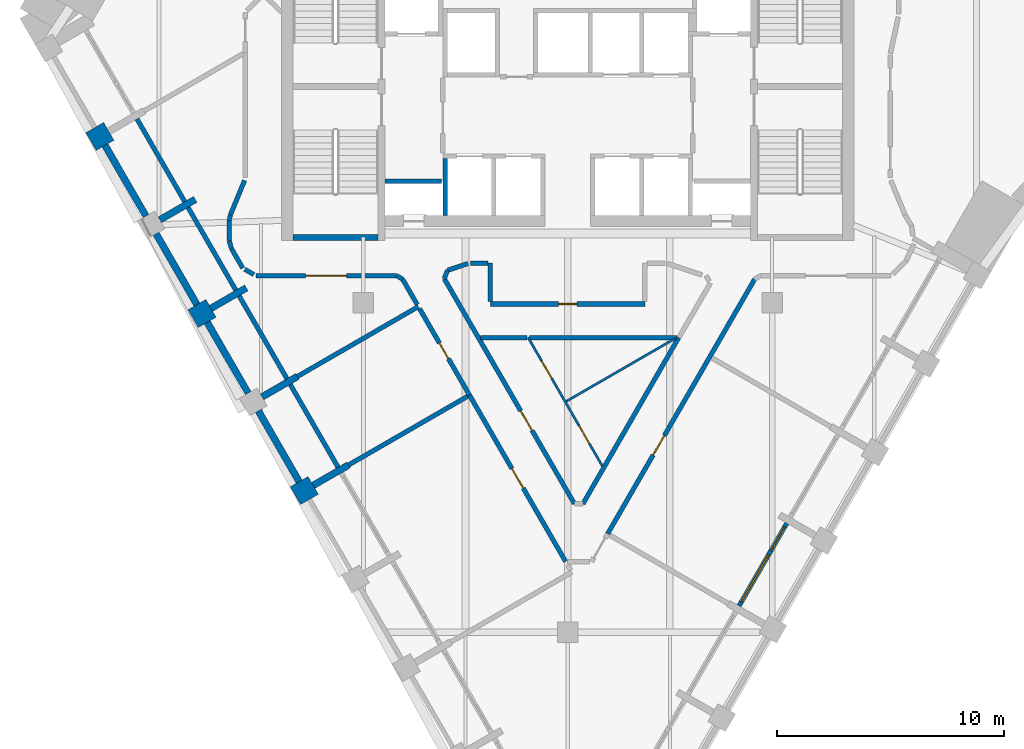
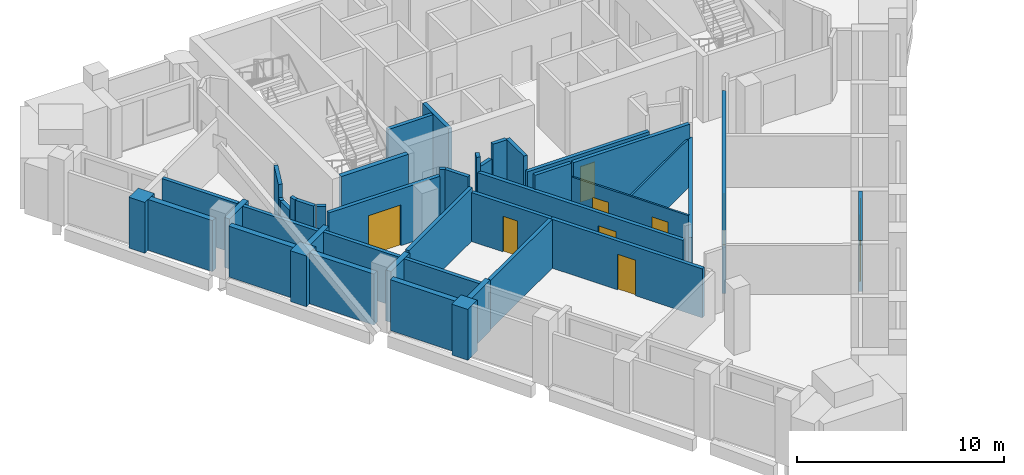
# One storey, part 3 of 8: 44 walls, 9 doors, 1 window, 10 openings.
"""IFC4 building model written with IfcOpenShell, lengths in metres."""

from ifc_helpers import new_model, si_unit, direction, frame, frame_2d, origin, place, context, subcontext, project, spatial, rectangle, extrude, material, layer, layer_set, type_object, element, fill, save


model = new_model("IFC4")

# Units and contexts
model_context = context("Model", 3, precision=1e-05, world=origin(), true_north=direction((0.0, 1.0)))
body_context = subcontext(model_context, "Body", "Model", "MODEL_VIEW")
ifc_project = project(units=[si_unit("LENGTHUNIT", "METRE"), si_unit("AREAUNIT", "SQUARE_METRE"), si_unit("VOLUMEUNIT", "CUBIC_METRE"), si_unit("PLANEANGLEUNIT", "RADIAN"), si_unit("MASSUNIT", "GRAM", prefix="KILO")], contexts=[model_context])

# Site, building, storey
site_placement = place(None, origin())
site = spatial("IfcSite", under=ifc_project, at=site_placement, CompositionType="ELEMENT")
building_placement = place(site_placement, origin())
building = spatial("IfcBuilding", under=site, at=building_placement, Name="Calabash Gate Tower", CompositionType="ELEMENT")
storey_placement = place(building_placement, frame((0.0, 0.0, 271.60009765625)))
storey = spatial("IfcBuildingStorey", under=building, at=storey_placement, Name="L65", CompositionType="ELEMENT", Elevation=271.60009765625)

# Walls
ifc_material_1 = material(Name="Terracotta brick masonry, exposed face", Category="masonry")
ifc_layer_1 = layer(ifc_material_1, 0.89990234375)
ifc_layer_set_1 = layer_set([ifc_layer_1], Name="Brick end wall 900")
wall_type_1 = type_object("IfcWallType", Name="Brick end wall 900", PredefinedType="SOLIDWALL", material=ifc_layer_set_1)
for number, where, z_axis, x_axis, name in (
    (1, (-20.98583984375, 9.602783203125, 0.0), (0.0, 0.0, 1.0), (0.866013897511, 0.50001992892, 0.0), "Brick pier S19 SW0.1"),
    (2, (-16.48583984375, 1.80859375, 0.0), (0.0, 0.0, 1.0), (0.866013897511, 0.50001992892, 0.0), "Brick pier S19 SW0.3"),
):
    element("IfcWall", number, at=place(storey_placement, frame(where, z_axis=z_axis, x_axis=x_axis)), inside=storey, type_object=wall_type_1, Name=name, PredefinedType="SOLIDWALL", context=body_context, shape_type="SweptSolid", body=[
        extrude(rectangle(XDim=0.89990234375, YDim=0.89990234375, at=frame_2d((0.449951171875, 0.0))), origin(), (0.0, 0.0, 1.0), 3.0),
    ])
wall_1_placement = place(storey_placement, frame((-11.8212890625, -5.370849609375, 0.0), z_axis=(0.0, 0.0, 1.0), x_axis=(0.499902469156, -0.866081705922, 0.0)))
element("IfcWall", 3, at=wall_1_placement, inside=storey, type_object=wall_type_1, Name="Brick pier S19 SW0.5", PredefinedType="SOLIDWALL", context=body_context, shape_type="SweptSolid", body=[
    extrude(rectangle(XDim=0.900146484375, YDim=0.89990234375, at=frame_2d((0.4501953125, 0.0))), origin(), (0.0, 0.0, 1.0), 3.0),
])
ifc_material_2 = material(Name="Terracotta brick masonry, exposed face", Category="masonry")
ifc_layer_2 = layer(ifc_material_2, 0.300048828125)
ifc_layer_set_2 = layer_set([ifc_layer_2], Name="Brick infill panel wall 300")
wall_type_2 = type_object("IfcWallType", Name="Brick infill panel wall 300", PredefinedType="SOLIDWALL", material=ifc_layer_set_2)
for number, where, z_axis, x_axis, name in (
    (4, (-20.371337890625, 9.43798828125, 0.0), (0.0, 0.0, 1.0), (0.500012057535, -0.866018442252, 0.0), "Brick panel S19 SW0.2"),
    (5, (-18.121337890625, 5.541015625, 0.0), (0.0, 0.0, 1.0), (0.500012057535, -0.866018442252, 0.0), "Brick panel S19 SW0.3"),
    (6, (-15.871337890625, 1.643798828125, 0.0), (0.0, 0.0, 1.0), (0.500012057535, -0.866018442252, 0.0), "Brick panel S19 SW0.4"),
):
    element("IfcWall", number, at=place(storey_placement, frame(where, z_axis=z_axis, x_axis=x_axis)), inside=storey, type_object=wall_type_2, Name=name, PredefinedType="SOLIDWALL", context=body_context, shape_type="SweptSolid", body=[
        extrude(rectangle(XDim=3.60009765625, YDim=0.300048828125, at=frame_2d((1.800048828125, 0.0))), origin(), (0.0, 0.0, 1.0), 3.0),
    ])
wall_2_placement = place(storey_placement, frame((-11.8212890625, -5.370849609375, 0.0), z_axis=(0.0, 0.0, 1.0), x_axis=(-0.50001992892, 0.866013897511, 0.0)))
element("IfcWall", 7, at=wall_2_placement, inside=storey, type_object=wall_type_2, Name="Brick panel S19 SW0.5", PredefinedType="SOLIDWALL", context=body_context, shape_type="SweptSolid", body=[
    extrude(rectangle(XDim=3.599365234375, YDim=0.300048828125, at=frame_2d((1.7998046875, 0.0))), origin(), (0.0, 0.0, 1.0), 3.0),
])
ifc_material_3 = material(Name="Terracotta brick masonry, exposed face", Category="masonry")
ifc_layer_3 = layer(ifc_material_3, 0.300048828125)
ifc_layer_set_3 = layer_set([ifc_layer_3], Name="Brick loggia cheek wall 300")
wall_type_3 = type_object("IfcWallType", Name="Brick loggia cheek wall 300", PredefinedType="SOLIDWALL", material=ifc_layer_set_3)
wall_3_placement = place(storey_placement, frame((-17.956298828125, 6.156005859375, 0.0), z_axis=(0.0, 0.0, 1.0), x_axis=(0.866072636901, 0.499918180918, 0.0)))
element("IfcWall", 8, at=wall_3_placement, inside=storey, type_object=wall_type_3, Name="Loggia cheek S19 SW0.2", PredefinedType="SOLIDWALL", context=body_context, shape_type="SweptSolid", body=[
    extrude(rectangle(XDim=1.799560546875, YDim=0.300048828125, at=frame_2d((0.89990234375, 0.0))), origin(), (0.0, 0.0, 1.0), 2.949951171875),
])
for number, where, z_axis, x_axis, name in (
    (9, (-15.70654296875, 2.258544921875, 0.0), (0.0, 0.0, 1.0), (0.865989075817, 0.500062916607, 0.0), "Loggia cheek S19 SW0.3"),
    (10, (-13.45654296875, -1.638427734375, 0.0), (0.0, 0.0, 1.0), (0.866047807691, 0.499961193289, 0.0), "Loggia cheek S19 SW0.4"),
    (11, (-11.20654296875, -5.53564453125, 0.0), (0.0, 0.0, 1.0), (0.866047807691, 0.499961193289, 0.0), "Loggia cheek S19 SW0.5"),
):
    element("IfcWall", number, at=place(storey_placement, frame(where, z_axis=z_axis, x_axis=x_axis)), inside=storey, type_object=wall_type_3, Name=name, PredefinedType="SOLIDWALL", context=body_context, shape_type="SweptSolid", body=[
        extrude(rectangle(XDim=1.800048828125, YDim=0.300048828125, at=frame_2d((0.89990234375, 0.0))), origin(), (0.0, 0.0, 1.0), 3.0),
    ])
ifc_material_4 = material(Name="Concrete C60/75", Category="concrete")
ifc_layer_4 = layer(ifc_material_4, 0.25)
ifc_layer_set_4 = layer_set([ifc_layer_4], Name="Core wall 250 Concrete C60/75")
wall_type_4 = type_object("IfcWallType", Name="Core wall 250 Concrete C60/75", PredefinedType="SHEAR", material=ifc_layer_set_4)
wall_4_placement = place(storey_placement, frame((-12.10009765625, 5.377685546875, 0.0), z_axis=(0.0, 0.0, 1.0), x_axis=(1.0, 0.0, 0.0)))
element("IfcWall", 12, at=wall_4_placement, inside=storey, type_object=wall_type_4, Name="Core wall Z5-SSW L65", PredefinedType="SHEAR", context=body_context, shape_type="SweptSolid", body=[
    extrude(rectangle(XDim=3.75, YDim=0.25, at=frame_2d((1.875, 0.0))), origin(), (0.0, 0.0, 1.0), 3.89990234375),
])
ifc_material_5 = material(Name="Gypsum board on steel studs, mineral wool", Category="steel")
ifc_layer_5 = layer(ifc_material_5, 0.10009765625)
ifc_layer_set_5 = layer_set([ifc_layer_5], Name="Partition 100 gypsum board")
wall_type_5 = type_object("IfcWallType", Name="Partition 100 gypsum board", PredefinedType="PARTITIONING", material=ifc_layer_set_5)
wall_5_placement = place(storey_placement, frame((-0.0625, -1.833984375, 0.0), z_axis=(0.0, 0.0, 1.0), x_axis=(0.865950314505, 0.5001300359, 0.0)))
element("IfcWall", 13, at=wall_5_placement, inside=storey, type_object=wall_type_5, Name="Partition", PredefinedType="PARTITIONING", context=body_context, shape_type="SweptSolid", body=[
    extrude(rectangle(XDim=5.51318359375, YDim=0.10009765625, at=frame_2d((2.756591796875, 0.0))), origin(), (0.0, 0.0, 1.0), 2.884033203125),
])

# Wall, openings, doors
wall_6_placement = place(storey_placement, frame((-1.740966796875, 0.9736328125, 0.0), z_axis=(0.0, 0.0, 1.0), x_axis=(0.499978916304, -0.86603757612, 0.0)))
wall_6 = element("IfcWall", 14, at=wall_6_placement, inside=storey, type_object=wall_type_5, Name="Partition", PredefinedType="PARTITIONING", context=body_context, shape_type="SweptSolid", body=[
    extrude(rectangle(XDim=6.537353515625, YDim=0.10009765625, at=frame_2d((3.2685546875, 0.0))), origin(), (0.0, 0.0, 1.0), 2.884033203125),
])
opening_1_placement = place(wall_6_placement, frame((1.183837890625, 0.0, 0.0)))
opening_1 = element("IfcOpeningElement", 15, at=opening_1_placement, cuts=wall_6, Name="Opening 65-66-012", PredefinedType="OPENING", context=body_context, shape_type="SweptSolid", body=[
    extrude(rectangle(XDim=0.89990234375, YDim=2.10009765625, at=frame_2d((0.449951171875, 1.050048828125))), frame((0.0, 0.06005859375, 0.0), z_axis=(0.0, -1.0, 0.0), x_axis=(1.0, 0.0, 0.0)), (0.0, 0.0, 1.0), 0.1201171875),
])
opening_2_placement = place(wall_6_placement, frame((4.503662109375, 0.0, 0.0)))
opening_2 = element("IfcOpeningElement", 16, at=opening_2_placement, cuts=wall_6, Name="Opening 65-66-013", PredefinedType="OPENING", context=body_context, shape_type="SweptSolid", body=[
    extrude(rectangle(XDim=0.89990234375, YDim=2.10009765625, at=frame_2d((0.449951171875, 1.050048828125))), frame((0.0, 0.06005859375, 0.0), z_axis=(0.0, -1.0, 0.0), x_axis=(1.0, 0.0, 0.0)), (0.0, 0.0, 1.0), 0.1201171875),
])
ifc_material_6 = material(Name="Painted timber door", Category="wood")
door_type_1 = type_object("IfcDoorType", Name="WD1 WC door 900x2100", OperationType="NOTDEFINED", PredefinedType="DOOR", material=ifc_material_6)
door_1_placement = place(opening_1_placement, origin())
door_1 = element("IfcDoor", 17, at=door_1_placement, inside=storey, type_object=door_type_1, Name="WC door", OperationType="SINGLE_SWING_LEFT", OverallHeight=2.10009765625, OverallWidth=0.89990234375, PredefinedType="DOOR", context=body_context, shape_type="SweptSolid", body=[
    extrude(rectangle(XDim=0.89990234375, YDim=2.10009765625, at=frame_2d((0.449951171875, 1.050048828125))), frame((0.0, 0.02490234375, 0.0), z_axis=(0.0, -1.0, 0.0), x_axis=(1.0, 0.0, 0.0)), (0.0, 0.0, 1.0), 0.050048828125),
])
fill(opening_1, door_1)
door_2_placement = place(opening_2_placement, origin())
door_2 = element("IfcDoor", 18, at=door_2_placement, inside=storey, type_object=door_type_1, Name="WC door", OperationType="SINGLE_SWING_RIGHT", OverallHeight=2.10009765625, OverallWidth=0.89990234375, PredefinedType="DOOR", context=body_context, shape_type="SweptSolid", body=[
    extrude(rectangle(XDim=0.89990234375, YDim=2.10009765625, at=frame_2d((0.449951171875, 1.050048828125))), frame((0.0, 0.02490234375, 0.0), z_axis=(0.0, -1.0, 0.0), x_axis=(1.0, 0.0, 0.0)), (0.0, 0.0, 1.0), 0.050048828125),
])
fill(opening_2, door_2)

# Wall, opening, door
ifc_material_7 = material(Name="Gypsum board on steel studs, mineral wool", Category="steel")
ifc_layer_6 = layer(ifc_material_7, 0.199951171875)
ifc_layer_set_6 = layer_set([ifc_layer_6], Name="Partition 200 gypsum board EI 60")
wall_type_6 = type_object("IfcWallType", Name="Partition 200 gypsum board EI 60", PredefinedType="PARTITIONING", material=ifc_layer_set_6)
wall_7_placement = place(storey_placement, frame((-4.3232421875, -1.561767578125, 0.0), z_axis=(0.0, 0.0, 1.0), x_axis=(0.500177101832, -0.865923129846, 0.0)))
wall_7 = element("IfcWall", 19, at=wall_7_placement, inside=storey, type_object=wall_type_6, Name="Partition", PredefinedType="PARTITIONING", context=body_context, shape_type="SweptSolid", body=[
    extrude(rectangle(XDim=8.45947265625, YDim=0.199951171875, at=frame_2d((4.229736328125, 0.0))), origin(), (0.0, 0.0, 1.0), 2.884033203125),
])
opening_3_placement = place(wall_7_placement, frame((3.728759765625, 0.0, 0.0)))
opening_3 = element("IfcOpeningElement", 20, at=opening_3_placement, cuts=wall_7, Name="Opening 65-66-002", PredefinedType="OPENING", context=body_context, shape_type="SweptSolid", body=[
    extrude(rectangle(XDim=1.0, YDim=2.10009765625, at=frame_2d((0.5, 1.050048828125))), frame((0.0, 0.10986328125, 0.0), z_axis=(0.0, -1.0, 0.0), x_axis=(1.0, 0.0, 0.0)), (0.0, 0.0, 1.0), 0.219970703125),
])
ifc_material_8 = material(Name="Steel fire door set with fire-resisting glazing", Category="steel")
door_type_2 = type_object("IfcDoorType", Name="LD2 Meeting room door 1000x2100", OperationType="NOTDEFINED", PredefinedType="DOOR", material=ifc_material_8)
door_3_placement = place(opening_3_placement, origin())
door_3 = element("IfcDoor", 21, at=door_3_placement, inside=storey, type_object=door_type_2, Name="Meeting room door", OperationType="SINGLE_SWING_LEFT", OverallHeight=2.10009765625, OverallWidth=1.0, PredefinedType="DOOR", context=body_context, shape_type="SweptSolid", body=[
    extrude(rectangle(XDim=1.0, YDim=2.10009765625, at=frame_2d((0.5, 1.050048828125))), frame((0.0, 0.02490234375, 0.0), z_axis=(0.0, -1.0, 0.0), x_axis=(1.0, 0.0, 0.0)), (0.0, 0.0, 1.0), 0.050048828125),
])
fill(opening_3, door_3)

# Walls
wall_8_placement = place(storey_placement, frame((0.670166015625, -6.346435546875, 0.0), z_axis=(0.0, 0.0, 1.0), x_axis=(0.499143893265, 0.866519113359, 0.0)))
element("IfcWall", 22, at=wall_8_placement, inside=storey, type_object=wall_type_6, Name="Partition", PredefinedType="PARTITIONING", context=body_context, shape_type="SweptSolid", body=[
    extrude(rectangle(XDim=8.452392578125, YDim=0.199951171875, at=frame_2d((4.22607421875, 0.0))), origin(), (0.0, 0.0, 1.0), 2.884033203125),
])
wall_9_placement = place(storey_placement, frame((-9.647705078125, -4.6357421875, 0.0), z_axis=(0.0, 0.0, 1.0), x_axis=(0.866169461704, 0.499750401311, 0.0)))
element("IfcWall", 23, at=wall_9_placement, inside=storey, type_object=wall_type_6, Name="Partition", PredefinedType="PARTITIONING", context=body_context, shape_type="SweptSolid", body=[
    extrude(rectangle(XDim=6.0498046875, YDim=0.199951171875, at=frame_2d((3.02490234375, 0.0))), origin(), (0.0, 0.0, 1.0), 2.884033203125),
])

# Wall, opening, door
wall_10_placement = place(storey_placement, frame((-6.5234375, 2.248779296875, 0.0), z_axis=(0.0, 0.0, 1.0), x_axis=(0.50001224981, -0.866018331238, 0.0)))
wall_10 = element("IfcWall", 24, at=wall_10_placement, inside=storey, type_object=wall_type_6, Name="Partition", PredefinedType="PARTITIONING", context=body_context, shape_type="SweptSolid", body=[
    extrude(rectangle(XDim=4.39990234375, YDim=0.199951171875, at=frame_2d((2.199951171875, 0.0))), origin(), (0.0, 0.0, 1.0), 2.884033203125),
])
opening_4_placement = place(wall_10_placement, frame((1.75, 0.0, 0.0)))
opening_4 = element("IfcOpeningElement", 25, at=opening_4_placement, cuts=wall_10, Name="Opening 65-66-001", PredefinedType="OPENING", context=body_context, shape_type="SweptSolid", body=[
    extrude(rectangle(XDim=0.800048828125, YDim=2.10009765625, at=frame_2d((0.39990234375, 1.050048828125))), frame((0.0, 0.10986328125, 0.0), z_axis=(0.0, -1.0, 0.0), x_axis=(1.0, 0.0, 0.0)), (0.0, 0.0, 1.0), 0.219970703125),
])
ifc_material_9 = material(Name="Steel fire door set with fire-resisting glazing", Category="steel")
door_type_3 = type_object("IfcDoorType", Name="SD2 Riser access door 800x2100", OperationType="NOTDEFINED", PredefinedType="DOOR", material=ifc_material_9)
door_4_placement = place(opening_4_placement, origin())
door_4 = element("IfcDoor", 26, at=door_4_placement, inside=storey, type_object=door_type_3, Name="Riser access door", OperationType="SINGLE_SWING_RIGHT", OverallHeight=2.10009765625, OverallWidth=0.800048828125, PredefinedType="DOOR", context=body_context, shape_type="SweptSolid", body=[
    extrude(rectangle(XDim=0.800048828125, YDim=2.10009765625, at=frame_2d((0.39990234375, 1.050048828125))), frame((0.0, 0.02490234375, 0.0), z_axis=(0.0, -1.0, 0.0), x_axis=(1.0, 0.0, 0.0)), (0.0, 0.0, 1.0), 0.050048828125),
])
fill(opening_4, door_4)

# Walls
wall_11_placement = place(storey_placement, frame((-11.89794921875, -0.738037109375, 0.0), z_axis=(0.0, 0.0, 1.0), x_axis=(0.865915132248, 0.500190947283, 0.0)))
element("IfcWall", 27, at=wall_11_placement, inside=storey, type_object=wall_type_6, Name="Partition", PredefinedType="PARTITIONING", context=body_context, shape_type="SweptSolid", body=[
    extrude(rectangle(XDim=6.1494140625, YDim=0.199951171875, at=frame_2d((3.07470703125, 0.0))), origin(), (0.0, 0.0, 1.0), 3.1279296875),
])
wall_12_placement = place(storey_placement, frame((-3.833984375, 0.971923828125, 0.0), z_axis=(0.0, 0.0, 1.0), x_axis=(0.999999742389, 0.000717789024, 0.0)))
element("IfcWall", 28, at=wall_12_placement, inside=storey, type_object=wall_type_6, Name="Partition", PredefinedType="PARTITIONING", context=body_context, shape_type="SweptSolid", body=[
    extrude(rectangle(XDim=2.040771484375, YDim=0.199951171875, at=frame_2d((1.0205078125, 0.0))), origin(), (0.0, 0.0, 1.0), 3.72998046875),
])
wall_13_placement = place(storey_placement, frame((-1.69189453125, 0.9716796875, 0.0), z_axis=(0.0, 0.0, 1.0), x_axis=(0.999999954692, 0.000301023466, 0.0)))
element("IfcWall", 29, at=wall_13_placement, inside=storey, type_object=wall_type_6, Name="Partition", PredefinedType="PARTITIONING", context=body_context, shape_type="SweptSolid", body=[
    extrude(rectangle(XDim=6.48828125, YDim=0.199951171875, at=frame_2d((3.244140625, 0.0))), origin(), (0.0, 0.0, 1.0), 3.72998046875),
])
wall_14_placement = place(storey_placement, frame((-7.270751953125, 3.54638671875, 0.0), z_axis=(0.0, 0.0, 1.0), x_axis=(0.499075838414, -0.866558311663, 0.0)))
element("IfcWall", 30, at=wall_14_placement, inside=storey, type_object=wall_type_6, Name="Partition", PredefinedType="PARTITIONING", context=body_context, shape_type="SweptSolid", body=[
    extrude(rectangle(XDim=1.296875, YDim=0.199951171875, at=frame_2d((0.6484375, 0.0))), origin(), (0.0, 0.0, 1.0), 3.72998046875),
])

# Wall, opening, door
wall_15_placement = place(storey_placement, frame((-3.400146484375, 2.452392578125, 0.0), z_axis=(0.0, 0.0, 1.0), x_axis=(1.0, 0.0, 0.0)))
wall_15 = element("IfcWall", 31, at=wall_15_placement, inside=storey, type_object=wall_type_6, Name="Partition", PredefinedType="PARTITIONING", context=body_context, shape_type="SweptSolid", body=[
    extrude(rectangle(XDim=6.800048828125, YDim=0.199951171875, at=frame_2d((3.39990234375, 0.0))), origin(), (0.0, 0.0, 1.0), 2.884033203125),
])
opening_5_placement = place(wall_15_placement, frame((3.0, 0.0, 0.0)))
opening_5 = element("IfcOpeningElement", 32, at=opening_5_placement, cuts=wall_15, Name="Opening 65-66-004", PredefinedType="OPENING", context=body_context, shape_type="SweptSolid", body=[
    extrude(rectangle(XDim=0.800048828125, YDim=2.10009765625, at=frame_2d((0.39990234375, 1.050048828125))), frame((0.0, 0.10986328125, 0.0), z_axis=(0.0, -1.0, 0.0), x_axis=(1.0, 0.0, 0.0)), (0.0, 0.0, 1.0), 0.219970703125),
])
door_5_placement = place(opening_5_placement, origin())
door_5 = element("IfcDoor", 33, at=door_5_placement, inside=storey, type_object=door_type_3, Name="Riser access door", OperationType="SINGLE_SWING_LEFT", OverallHeight=2.10009765625, OverallWidth=0.800048828125, PredefinedType="DOOR", context=body_context, shape_type="SweptSolid", body=[
    extrude(rectangle(XDim=0.800048828125, YDim=2.10009765625, at=frame_2d((0.39990234375, 1.050048828125))), frame((0.0, 0.02490234375, 0.0), z_axis=(0.0, -1.0, 0.0), x_axis=(1.0, 0.0, 0.0)), (0.0, 0.0, 1.0), 0.050048828125),
])
fill(opening_5, door_5)

# Walls
wall_16_placement = place(storey_placement, frame((-3.402099609375, 4.25048828125, 0.0), z_axis=(0.0, 0.0, 1.0), x_axis=(0.001150250857, -0.999999338461, 0.0)))
element("IfcWall", 34, at=wall_16_placement, inside=storey, type_object=wall_type_6, Name="Partition", PredefinedType="PARTITIONING", context=body_context, shape_type="SweptSolid", body=[
    extrude(rectangle(XDim=1.697998046875, YDim=0.199951171875, at=frame_2d((0.84912109375, 0.0))), origin(), (0.0, 0.0, 1.0), 3.72998046875),
])
wall_17_placement = place(storey_placement, frame((-7.535888671875, 3.699462890625, 0.0), z_axis=(0.0, 0.0, 1.0), x_axis=(0.866026229868, -0.499998569178, 0.0)))
element("IfcWall", 35, at=wall_17_placement, inside=storey, type_object=wall_type_6, Name="Partition", PredefinedType="PARTITIONING", context=body_context, shape_type="SweptSolid", body=[
    extrude(rectangle(XDim=0.30615234375, YDim=0.199951171875, at=frame_2d((0.153076171875, 0.0))), origin(), (0.0, 0.0, 1.0), 3.72998046875),
])

# Wall, opening, door
wall_18_placement = place(storey_placement, frame((1.757080078125, -7.668212890625, 0.0), z_axis=(0.0, 0.0, 1.0), x_axis=(0.500002084865, 0.866024200084, 0.0)))
wall_18 = element("IfcWall", 36, at=wall_18_placement, inside=storey, type_object=wall_type_6, Name="Partition", PredefinedType="PARTITIONING", context=body_context, shape_type="SweptSolid", body=[
    extrude(rectangle(XDim=12.94873046875, YDim=0.199951171875, at=frame_2d((6.474365234375, 0.0))), origin(), (0.0, 0.0, 1.0), 2.884033203125),
])
opening_6_placement = place(wall_18_placement, frame((4.0, 0.0, 0.0)))
opening_6 = element("IfcOpeningElement", 37, at=opening_6_placement, cuts=wall_18, Name="Opening 65-66-003", PredefinedType="OPENING", context=body_context, shape_type="SweptSolid", body=[
    extrude(rectangle(XDim=1.0, YDim=2.39990234375, at=frame_2d((0.5, 1.199951171875))), frame((0.0, 0.10986328125, 0.0), z_axis=(0.0, -1.0, 0.0), x_axis=(1.0, 0.0, 0.0)), (0.0, 0.0, 1.0), 0.219970703125),
])
ifc_material_10 = material(Name="Painted timber door", Category="wood")
door_type_4 = type_object("IfcDoorType", Name="OD2 Glazed office door 1000x2400", OperationType="NOTDEFINED", PredefinedType="DOOR", material=ifc_material_10)
door_6_placement = place(opening_6_placement, origin())
door_6 = element("IfcDoor", 38, at=door_6_placement, inside=storey, type_object=door_type_4, Name="Glazed office door", OperationType="SINGLE_SWING_RIGHT", OverallHeight=2.39990234375, OverallWidth=1.0, PredefinedType="DOOR", context=body_context, shape_type="SweptSolid", body=[
    extrude(rectangle(XDim=1.0, YDim=2.39990234375, at=frame_2d((0.5, 1.199951171875))), frame((0.0, 0.02490234375, 0.0), z_axis=(0.0, -1.0, 0.0), x_axis=(1.0, 0.0, 0.0)), (0.0, 0.0, 1.0), 0.050048828125),
])
fill(opening_6, door_6)

wall_19_placement = place(storey_placement, frame((-5.433349609375, 3.565185546875, 0.0), z_axis=(0.0, 0.0, 1.0), x_axis=(0.500524932541, -0.865722121644, 0.0)))
wall_19 = element("IfcWall", 39, at=wall_19_placement, inside=storey, type_object=wall_type_6, Name="Partition", PredefinedType="PARTITIONING", context=body_context, shape_type="SweptSolid", body=[
    extrude(rectangle(XDim=11.445068359375, YDim=0.199951171875, at=frame_2d((5.72265625, 0.0))), origin(), (0.0, 0.0, 1.0), 2.884033203125),
])
opening_7_placement = place(wall_19_placement, frame((6.718994140625, 0.0, 0.0)))
opening_7 = element("IfcOpeningElement", 40, at=opening_7_placement, cuts=wall_19, Name="Opening 65-66-011", PredefinedType="OPENING", context=body_context, shape_type="SweptSolid", body=[
    extrude(rectangle(XDim=1.0, YDim=2.10009765625, at=frame_2d((0.5, 1.050048828125))), frame((0.0, 0.10986328125, 0.0), z_axis=(0.0, -1.0, 0.0), x_axis=(1.0, 0.0, 0.0)), (0.0, 0.0, 1.0), 0.219970703125),
])
ifc_material_11 = material(Name="Steel fire door set with fire-resisting glazing", Category="steel")
door_type_5 = type_object("IfcDoorType", Name="WD3 WC lobby door 1000x2100", OperationType="NOTDEFINED", PredefinedType="DOOR", material=ifc_material_11)
door_7_placement = place(opening_7_placement, origin())
door_7 = element("IfcDoor", 41, at=door_7_placement, inside=storey, type_object=door_type_5, Name="WC lobby door", OperationType="SINGLE_SWING_RIGHT", OverallHeight=2.10009765625, OverallWidth=1.0, PredefinedType="DOOR", context=body_context, shape_type="SweptSolid", body=[
    extrude(rectangle(XDim=1.0, YDim=2.10009765625, at=frame_2d((0.5, 1.050048828125))), frame((0.0, 0.02490234375, 0.0), z_axis=(0.0, -1.0, 0.0), x_axis=(1.0, 0.0, 0.0)), (0.0, 0.0, 1.0), 0.050048828125),
])
fill(opening_7, door_7)

wall_20_placement = place(storey_placement, frame((-13.73291015625, 3.699462890625, 0.0), z_axis=(0.0, 0.0, 1.0), x_axis=(1.0, 0.0, 0.0)))
wall_20 = element("IfcWall", 42, at=wall_20_placement, inside=storey, type_object=wall_type_6, Name="Partition", PredefinedType="PARTITIONING", context=body_context, shape_type="SweptSolid", body=[
    extrude(rectangle(XDim=6.197021484375, YDim=0.199951171875, at=frame_2d((3.0986328125, 0.0))), origin(), (0.0, 0.0, 1.0), 3.33154296875),
])
opening_8_placement = place(wall_20_placement, frame((2.198486328125, 0.0, 0.0)))
opening_8 = element("IfcOpeningElement", 43, at=opening_8_placement, cuts=wall_20, Name="Opening 65-66-005", PredefinedType="OPENING", context=body_context, shape_type="SweptSolid", body=[
    extrude(rectangle(XDim=1.800048828125, YDim=2.39990234375, at=frame_2d((0.89990234375, 1.199951171875))), frame((0.0, 0.10986328125, 0.0), z_axis=(0.0, -1.0, 0.0), x_axis=(1.0, 0.0, 0.0)), (0.0, 0.0, 1.0), 0.219970703125),
])
ifc_material_12 = material(Name="Steel fire door set with fire-resisting glazing", Category="steel")
door_type_6 = type_object("IfcDoorType", Name="OD5 Open office double door 1800x2400", OperationType="NOTDEFINED", PredefinedType="DOOR", material=ifc_material_12)
door_8_placement = place(opening_8_placement, origin())
door_8 = element("IfcDoor", 44, at=door_8_placement, inside=storey, type_object=door_type_6, Name="Open office double door", OperationType="DOUBLE_DOOR_SINGLE_SWING", OverallHeight=2.39990234375, OverallWidth=1.800048828125, PredefinedType="DOOR", context=body_context, shape_type="SweptSolid", body=[
    extrude(rectangle(XDim=1.800048828125, YDim=2.39990234375, at=frame_2d((0.89990234375, 1.199951171875))), frame((0.0, 0.02490234375, 0.0), z_axis=(0.0, -1.0, 0.0), x_axis=(1.0, 0.0, 0.0)), (0.0, 0.0, 1.0), 0.050048828125),
])
fill(opening_8, door_8)

# Walls
wall_21_placement = place(storey_placement, frame((-14.218017578125, 3.9794921875, 0.0), z_axis=(0.0, 0.0, 1.0), x_axis=(0.866212077504, -0.499676532155, 0.0)))
element("IfcWall", 45, at=wall_21_placement, inside=storey, type_object=wall_type_6, Name="Partition", PredefinedType="PARTITIONING", context=body_context, shape_type="SweptSolid", body=[
    extrude(rectangle(XDim=0.460205078125, YDim=0.199951171875, at=frame_2d((0.22998046875, 0.0))), origin(), (0.0, 0.0, 1.0), 3.72998046875),
])
wall_22_placement = place(storey_placement, frame((-5.433349609375, 3.565185546875, 0.0), z_axis=(0.0, 0.0, 1.0), x_axis=(0.354431242796, 0.93508207882, 0.0)))
element("IfcWall", 46, at=wall_22_placement, inside=storey, type_object=wall_type_6, Name="Partition", PredefinedType="PARTITIONING", context=body_context, shape_type="SweptSolid", body=[
    extrude(rectangle(XDim=0.39599609375, YDim=0.199951171875, at=frame_2d((0.197998046875, 0.0))), origin(), (0.0, 0.0, 1.0), 3.72998046875),
])
wall_23_placement = place(storey_placement, frame((-14.81201171875, 4.908203125, 0.0), z_axis=(0.0, 0.0, 1.0), x_axis=(0.500021003115, -0.866013277291, 0.0)))
element("IfcWall", 47, at=wall_23_placement, inside=storey, type_object=wall_type_6, Name="Partition", PredefinedType="PARTITIONING", context=body_context, shape_type="SweptSolid", body=[
    extrude(rectangle(XDim=1.0146484375, YDim=0.199951171875, at=frame_2d((0.50732421875, 0.0))), origin(), (0.0, 0.0, 1.0), 3.72998046875),
])
wall_24_placement = place(storey_placement, frame((-5.29296875, 3.935546875, 0.0), z_axis=(0.0, 0.0, 1.0), x_axis=(0.948709019126, 0.316150592328, 0.0)))
element("IfcWall", 48, at=wall_24_placement, inside=storey, type_object=wall_type_6, Name="Partition", PredefinedType="PARTITIONING", context=body_context, shape_type="SweptSolid", body=[
    extrude(rectangle(XDim=0.948974609375, YDim=0.199951171875, at=frame_2d((0.474609375, 0.0))), origin(), (0.0, 0.0, 1.0), 2.884033203125),
])
wall_25_placement = place(storey_placement, frame((-4.2890625, 4.25244140625, 0.0), z_axis=(0.0, 0.0, 1.0), x_axis=(0.999997642919, -0.002171210763, 0.0)))
element("IfcWall", 49, at=wall_25_placement, inside=storey, type_object=wall_type_6, Name="Partition", PredefinedType="PARTITIONING", context=body_context, shape_type="SweptSolid", body=[
    extrude(rectangle(XDim=0.787109375, YDim=0.199951171875, at=frame_2d((0.3935546875, 0.0))), origin(), (0.0, 0.0, 1.0), 3.72998046875),
])
wall_26_placement = place(storey_placement, frame((-14.900390625, 5.23828125, 0.0), z_axis=(0.0, 0.0, 1.0), x_axis=(0.258640848646, -0.965973556269, 0.0)))
element("IfcWall", 50, at=wall_26_placement, inside=storey, type_object=wall_type_6, Name="Partition", PredefinedType="PARTITIONING", context=body_context, shape_type="SweptSolid", body=[
    extrude(rectangle(XDim=0.341796875, YDim=0.199951171875, at=frame_2d((0.1708984375, 0.0))), origin(), (0.0, 0.0, 1.0), 3.72998046875),
])
wall_27_placement = place(storey_placement, frame((-14.900390625, 6.1220703125, 0.0), z_axis=(0.0, 0.0, 1.0), x_axis=(0.0, -1.0, 0.0)))
element("IfcWall", 51, at=wall_27_placement, inside=storey, type_object=wall_type_6, Name="Partition", PredefinedType="PARTITIONING", context=body_context, shape_type="SweptSolid", body=[
    extrude(rectangle(XDim=0.8837890625, YDim=0.199951171875, at=frame_2d((0.44189453125, 0.0))), origin(), (0.0, 0.0, 1.0), 2.949951171875),
])
wall_28_placement = place(storey_placement, frame((-14.900390625, 6.1220703125, 0.0), z_axis=(0.0, 0.0, 1.0), x_axis=(0.194284304518, 0.980945263008, 0.0)))
element("IfcWall", 52, at=wall_28_placement, inside=storey, type_object=wall_type_6, Name="Partition", PredefinedType="PARTITIONING", context=body_context, shape_type="SweptSolid", body=[
    extrude(rectangle(XDim=0.25634765625, YDim=0.199951171875, at=frame_2d((0.128173828125, 0.0))), origin(), (0.0, 0.0, 1.0), 2.949951171875),
])
wall_29_placement = place(storey_placement, frame((-14.8505859375, 6.37353515625, 0.0), z_axis=(0.0, 0.0, 1.0), x_axis=(0.380697489052, 0.924699638709, 0.0)))
element("IfcWall", 53, at=wall_29_placement, inside=storey, type_object=wall_type_6, Name="Partition", PredefinedType="PARTITIONING", context=body_context, shape_type="SweptSolid", body=[
    extrude(rectangle(XDim=1.64306640625, YDim=0.199951171875, at=frame_2d((0.821533203125, 0.0))), origin(), (0.0, 0.0, 1.0), 3.72998046875),
])
ifc_material_13 = material(Name="Concrete C40/50", Category="concrete")
ifc_layer_7 = layer(ifc_material_13, 0.199951171875)
ifc_layer_set_7 = layer_set([ifc_layer_7], Name="Shaft wall 200 Concrete C40/50")
wall_type_7 = type_object("IfcWallType", Name="Shaft wall 200 Concrete C40/50", PredefinedType="SOLIDWALL", material=ifc_layer_set_7)
for number, where, z_axis, x_axis, name in (
    (54, (-5.39990234375, 6.3525390625, 0.0), (0.0, 0.0, 1.0), (0.0, 1.0, 0.0), "Shaft wall"),
    (55, (-8.050048828125, 7.8525390625, 0.0), (0.0, 0.0, 1.0), (1.0, 0.0, 0.0), "Shaft wall"),
):
    element("IfcWall", number, at=place(storey_placement, frame(where, z_axis=z_axis, x_axis=x_axis)), inside=storey, type_object=wall_type_7, Name=name, PredefinedType="SOLIDWALL", context=body_context, shape_type="SweptSolid", body=[
        extrude(rectangle(XDim=2.5, YDim=0.199951171875, at=frame_2d((1.25, 0.0))), origin(), (0.0, 0.0, 1.0), 3.72998046875),
    ])
ifc_material_14 = material(Name="Aluminium framed window wall with insulated spandrel", Category="aluminium")
ifc_layer_8 = layer(ifc_material_14, 0.199951171875)
ifc_layer_set_8 = layer_set([ifc_layer_8], Name="Window wall 200")
wall_type_8 = type_object("IfcWallType", Name="Window wall 200", PredefinedType="ELEMENTEDWALL", material=ifc_layer_set_8)
wall_30_placement = place(storey_placement, frame((-18.96240234375, 10.597900390625, 0.0), z_axis=(0.0, 0.0, 1.0), x_axis=(0.500027713859, -0.866009402589, 0.0)))
element("IfcWall", 56, at=wall_30_placement, inside=storey, type_object=wall_type_8, Name="Window wall S19 SW0.2", PredefinedType="ELEMENTEDWALL", context=body_context, shape_type="SweptSolid", body=[
    extrude(rectangle(XDim=4.199951171875, YDim=0.199951171875, at=frame_2d((2.10009765625, 0.0))), origin(), (0.0, 0.0, 1.0), 3.0),
])
wall_31_placement = place(storey_placement, frame((-16.71240234375, 6.70068359375, 0.0), z_axis=(0.0, 0.0, 1.0), x_axis=(0.500027713859, -0.866009402589, 0.0)))
element("IfcWall", 57, at=wall_31_placement, inside=storey, type_object=wall_type_8, Name="Window wall S19 SW0.3", PredefinedType="ELEMENTEDWALL", context=body_context, shape_type="SweptSolid", body=[
    extrude(rectangle(XDim=4.199951171875, YDim=0.199951171875, at=frame_2d((2.10009765625, 0.0))), origin(), (0.0, 0.0, 1.0), 2.949951171875),
])
for number, where, z_axis, x_axis, name in (
    (58, (-14.46240234375, 2.8037109375, 0.0), (0.0, 0.0, 1.0), (0.500027713859, -0.866009402589, 0.0), "Window wall S19 SW0.4"),
    (59, (-12.21240234375, -1.093505859375, 0.0), (0.0, 0.0, 1.0), (0.500027713859, -0.866009402589, 0.0), "Window wall S19 SW0.5"),
):
    element("IfcWall", number, at=place(storey_placement, frame(where, z_axis=z_axis, x_axis=x_axis)), inside=storey, type_object=wall_type_8, Name=name, PredefinedType="ELEMENTEDWALL", context=body_context, shape_type="SweptSolid", body=[
        extrude(rectangle(XDim=4.199951171875, YDim=0.199951171875, at=frame_2d((2.10009765625, 0.0))), origin(), (0.0, 0.0, 1.0), 3.0),
    ])

# Wall, openings, door, window
wall_32_placement = place(storey_placement, frame((7.546142578125, -10.837158203125, 0.0), z_axis=(0.0, 0.0, 1.0), x_axis=(0.49998411664, 0.866034573852, 0.0)))
wall_32 = element("IfcWall", 60, at=wall_32_placement, inside=storey, type_object=wall_type_8, Name="Window wall S19 SE2.3", PredefinedType="ELEMENTEDWALL", context=body_context, shape_type="SweptSolid", body=[
    extrude(rectangle(XDim=4.199951171875, YDim=0.199951171875, at=frame_2d((2.10009765625, 0.0))), origin(), (0.0, 0.0, 1.0), 3.0),
])
opening_9_placement = place(wall_32_placement, frame((0.199951171875, 0.0, 0.449951171875)))
opening_9 = element("IfcOpeningElement", 61, at=opening_9_placement, cuts=wall_32, Name="Opening OW1", PredefinedType="OPENING", context=body_context, shape_type="SweptSolid", body=[
    extrude(rectangle(XDim=2.39990234375, YDim=2.25, at=frame_2d((1.199951171875, 1.125))), frame((0.0, 0.10986328125, 0.0), z_axis=(0.0, -1.0, 0.0), x_axis=(1.0, 0.0, 0.0)), (0.0, 0.0, 1.0), 0.219970703125),
])
opening_10_placement = place(wall_32_placement, frame((2.800048828125, 0.0, 0.0)))
opening_10 = element("IfcOpeningElement", 62, at=opening_10_placement, cuts=wall_32, Name="Opening O11-016", PredefinedType="OPENING", context=body_context, shape_type="SweptSolid", body=[
    extrude(rectangle(XDim=1.199951171875, YDim=2.699951171875, at=frame_2d((0.60009765625, 1.35009765625))), frame((0.0, 0.10986328125, 0.0), z_axis=(0.0, -1.0, 0.0), x_axis=(1.0, 0.0, 0.0)), (0.0, 0.0, 1.0), 0.219970703125),
])
ifc_material_15 = material(Name="Anodised aluminium frame, bronze finish, impact-rated laminated clear glazing", Category="aluminium")
door_type_7 = type_object("IfcDoorType", Name="Loggia door DO1 1200x2700", OperationType="SLIDING_TO_LEFT", PredefinedType="DOOR", material=ifc_material_15)
door_9_placement = place(opening_10_placement, origin())
door_9 = element("IfcDoor", 63, at=door_9_placement, inside=storey, type_object=door_type_7, Name="Loggia door S19 SE2.3", OperationType="SINGLE_SWING_LEFT", OverallHeight=2.699951171875, OverallWidth=1.199951171875, PredefinedType="DOOR", context=body_context, shape_type="SweptSolid", body=[
    extrude(rectangle(XDim=1.199951171875, YDim=2.699951171875, at=frame_2d((0.60009765625, 1.35009765625))), frame((0.0, 0.02490234375, 0.0), z_axis=(0.0, -1.0, 0.0), x_axis=(1.0, 0.0, 0.0)), (0.0, 0.0, 1.0), 0.050048828125),
])
fill(opening_10, door_9)
ifc_material_16 = material(Name="Anodised aluminium frame, bronze finish, impact-rated laminated clear glazing", Category="aluminium")
window_type = type_object("IfcWindowType", Name="Window OW1 2400x2250", PartitioningType="DOUBLE_PANEL_VERTICAL", PredefinedType="WINDOW", material=ifc_material_16)
window_placement = place(opening_9_placement, origin())
window = element("IfcWindow", 64, at=window_placement, inside=storey, type_object=window_type, Name="Window OW1 S19 SE2.3", OverallHeight=2.25, OverallWidth=2.39990234375, PartitioningType="SINGLE_PANEL", PredefinedType="WINDOW", context=body_context, shape_type="SweptSolid", body=[
    extrude(rectangle(XDim=2.39990234375, YDim=2.25, at=frame_2d((1.199951171875, 1.125))), frame((0.0, 0.030029296875, 0.0), z_axis=(0.0, -1.0, 0.0), x_axis=(1.0, 0.0, 0.0)), (0.0, 0.0, 1.0), 0.06005859375),
])
fill(opening_9, window)

save(model, "model.ifc")
